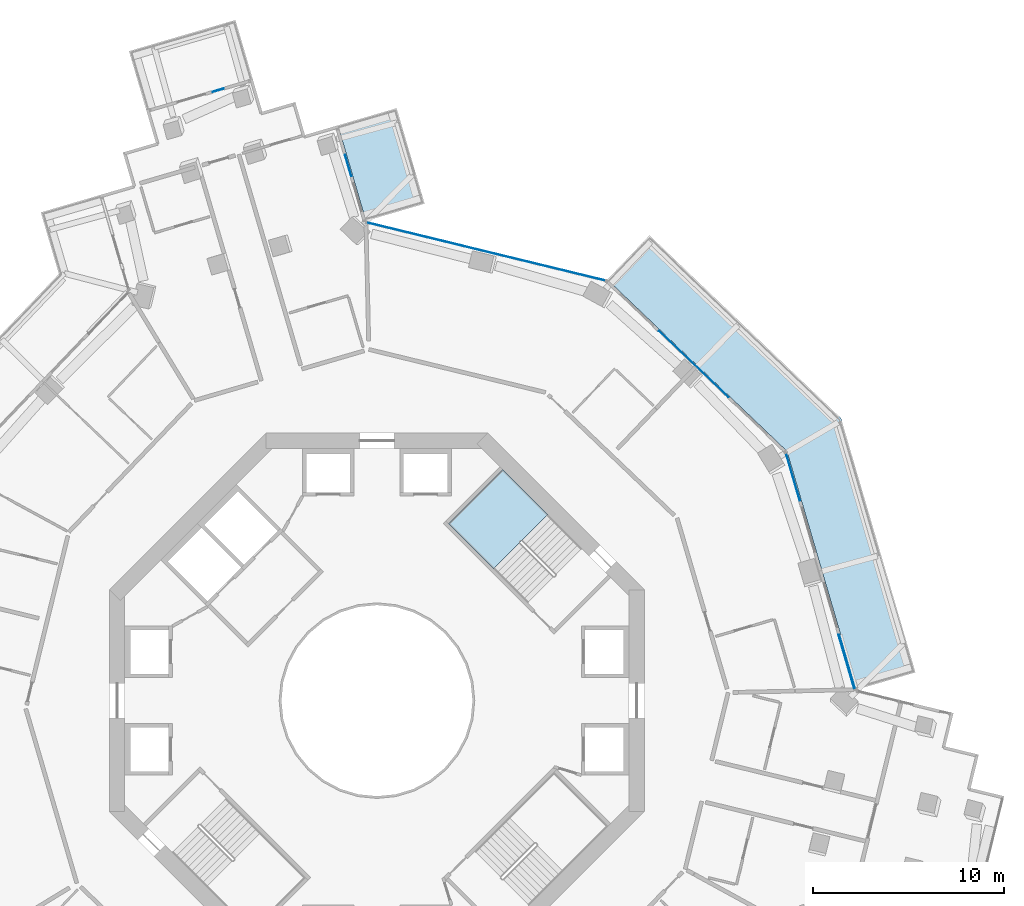
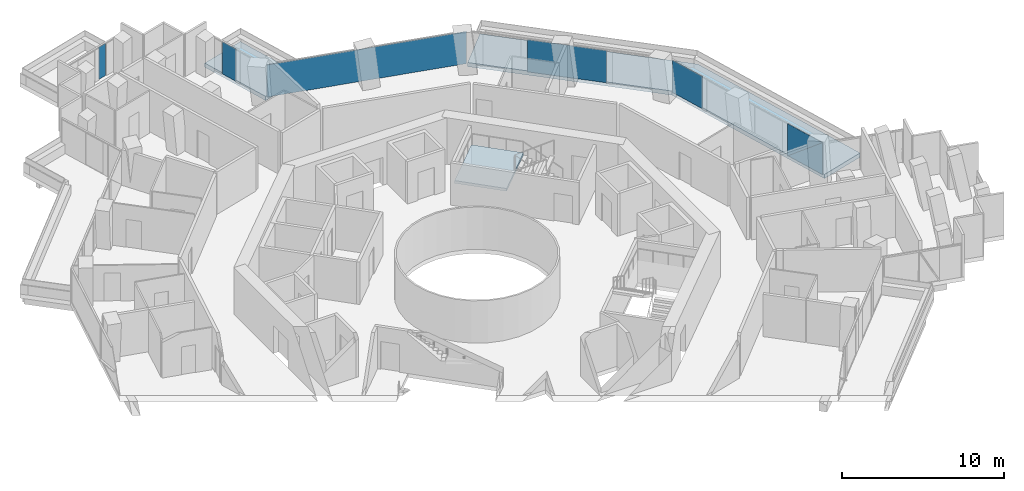
# One storey, part 16 of 25: 7 plates, 3 slabs, 6 elements without a shape of their own.
"""IFC4 building model written with IfcOpenShell, lengths in metres."""

from ifc_helpers import new_model, si_unit, direction, frame, origin, origin_2d, place, context, subcontext, project, spatial, polyline, rectangle, outline, extrude, material, layer, layer_set, type_object, element, aggregate, save


model = new_model("IFC4")

# Units and contexts
model_context = context("Model", 3, precision=1e-05, world=origin(), true_north=direction((0.0, 1.0)))
body_context = subcontext(model_context, "Body", "Model", "MODEL_VIEW")
ifc_project = project(units=[si_unit("LENGTHUNIT", "METRE"), si_unit("AREAUNIT", "SQUARE_METRE"), si_unit("VOLUMEUNIT", "CUBIC_METRE"), si_unit("PLANEANGLEUNIT", "RADIAN"), si_unit("MASSUNIT", "GRAM", prefix="KILO")], contexts=[model_context])

# Site, building, storey
site_placement = place(None, origin())
site = spatial("IfcSite", under=ifc_project, at=site_placement, CompositionType="ELEMENT")
building_placement = place(site_placement, origin())
building = spatial("IfcBuilding", under=site, at=building_placement, Name="Verdalira Terraces Hotel", CompositionType="ELEMENT")
storey_placement = place(building_placement, frame((0.0, 0.0, 100.0)))
storey = spatial("IfcBuildingStorey", under=building, at=storey_placement, Name="L23", CompositionType="ELEMENT", Elevation=100.0)

# Slabs
ifc_material_1 = material(Name="Precast concrete C40/50", Category="concrete")
ifc_layer_1 = layer(ifc_material_1, 0.31005859375)
ifc_layer_set_1 = layer_set([ifc_layer_1], Name="Balcony deck 310")
slab_type_1 = type_object("IfcSlabType", Name="Balcony deck 310", PredefinedType="FLOOR", material=ifc_layer_set_1)
slab_1_placement = place(storey_placement, frame((0.0, 0.0, -0.310059)))
element("IfcSlab", 1, at=slab_1_placement, inside=storey, type_object=slab_type_1, Name="Balcony deck", PredefinedType="FLOOR", context=body_context, shape_type="SweptSolid", body=[
    extrude(outline(polyline([(14.262695, 24.347168), (12.052734, 22.032959), (21.454346, 13.054688), (25.107422, 0.578613), (28.178467, 1.477783), (24.284424, 14.776855), (14.262695, 24.347168)])), origin(), (0.0, 0.0, 1.0), 0.310059),
])
slab_2_placement = place(storey_placement, frame((0.0, 0.0, -0.310059)))
element("IfcSlab", 2, at=slab_2_placement, inside=storey, type_object=slab_type_1, Name="Balcony deck", PredefinedType="FLOOR", context=body_context, shape_type="SweptSolid", body=[
    extrude(outline(polyline([(1.029053, 31.004883), (-2.041992, 30.105713), (-0.578613, 25.107422), (2.492432, 26.006592), (1.029053, 31.004883)])), origin(), (0.0, 0.0, 1.0), 0.310059),
])

# Curtain wall, plates
ifc_material_2 = material(Name="Clear glass", Category="glass")
ifc_layer_2 = layer(ifc_material_2, 0.14990234375)
ifc_layer_set_2 = layer_set([ifc_layer_2], Name="CW1 curtain wall")
curtain_wall_type_1 = type_object("IfcCurtainWallType", Name="CW1 curtain wall", PredefinedType="NOTDEFINED", material=ifc_layer_set_2)
curtain_wall_1_placement = place(storey_placement, origin())
curtain_wall_1 = element("IfcCurtainWall", 3, at=curtain_wall_1_placement, inside=storey, type_object=curtain_wall_type_1, Name="CW1 curtain wall L23 edge 39", PredefinedType="NOTDEFINED")
ifc_material_3 = material(Name="Clear glass", Category="glass")
ifc_layer_3 = layer(ifc_material_3, 0.028076171875)
ifc_layer_set_3 = layer_set([ifc_layer_3], Name="CW1 glass unit 28")
plate_type_1 = type_object("IfcPlateType", Name="CW1 glass unit 28", PredefinedType="CURTAIN_PANEL", material=ifc_layer_set_3)
plate_1_placement = place(storey_placement, frame((24.588623, 2.033936, 1.212402), z_axis=(0.959707262, 0.281001727, 0.0), x_axis=(-0.281001727, 0.959707262, 0.0)))
plate_1 = element("IfcPlate", 4, at=plate_1_placement, type_object=plate_type_1, Name="CW1 glass unit", PredefinedType="CURTAIN_PANEL", context=body_context, shape_type="SweptSolid", body=[
    extrude(outline(polyline([(-1.482422, -1.212402), (1.482422, -1.212402), (-1.482422, 1.212402), (-1.482422, -1.212402)])), origin(), (0.0, 0.0, 1.0), 0.028076),
])
plate_2_placement = place(storey_placement, frame((24.560791, 2.025635, 1.212402), z_axis=(0.959707262, 0.281001727, 0.0), x_axis=(-0.281001727, 0.959707262, 0.0)))
plate_2 = element("IfcPlate", 5, at=plate_2_placement, type_object=plate_type_1, Name="CW1 glass unit", PredefinedType="CURTAIN_PANEL", context=body_context, shape_type="SweptSolid", body=[
    extrude(outline(polyline([(1.482422, -1.212402), (1.482422, 1.212402), (-1.482422, 1.212402), (1.482422, -1.212402)])), origin(), (0.0, 0.0, 1.0), 0.028076),
])
plate_3_placement = place(storey_placement, frame((21.770752, 11.707031, 0.0), z_axis=(0.0, 0.0, 1.0), x_axis=(-0.281001727, 0.959707262, 0.0)))
plate_3 = element("IfcPlate", 6, at=plate_3_placement, type_object=plate_type_1, Name="CW1 glass unit", PredefinedType="CURTAIN_PANEL", context=body_context, shape_type="SweptSolid", body=[
    extrude(rectangle(XDim=2.564209, YDim=0.028076, at=origin_2d()), origin(), (0.0, 0.0, 1.0), 2.425049),
])
aggregate(curtain_wall_1, [plate_1, plate_2, plate_3])

# Curtain wall, plate
curtain_wall_2_placement = place(storey_placement, origin())
curtain_wall_2 = element("IfcCurtainWall", 7, at=curtain_wall_2_placement, inside=storey, type_object=curtain_wall_type_1, Name="CW1 curtain wall L23 edge 40", PredefinedType="NOTDEFINED")
plate_4_placement = place(storey_placement, frame((16.57251, 17.613037, 0.0), z_axis=(0.0, 0.0, 1.0), x_axis=(-0.723208265, 0.690630006, 0.0)))
plate_4 = element("IfcPlate", 8, at=plate_4_placement, type_object=plate_type_1, Name="CW1 glass unit", PredefinedType="CURTAIN_PANEL", context=body_context, shape_type="SweptSolid", body=[
    extrude(rectangle(XDim=5.021729, YDim=0.028076, at=origin_2d()), origin(), (0.0, 0.0, 1.0), 2.425049),
])
aggregate(curtain_wall_2, [plate_4])

curtain_wall_3_placement = place(storey_placement, origin())
curtain_wall_3 = element("IfcCurtainWall", 9, at=curtain_wall_3_placement, inside=storey, type_object=curtain_wall_type_1, Name="CW1 curtain wall L23 edge 41", PredefinedType="NOTDEFINED")
plate_5_placement = place(storey_placement, frame((5.699707, 23.501953, 0.0), z_axis=(0.0, 0.0, 1.0), x_axis=(-0.971631733, 0.236498997, 0.0)))
plate_5 = element("IfcPlate", 10, at=plate_5_placement, type_object=plate_type_1, Name="CW1 glass unit", PredefinedType="CURTAIN_PANEL", context=body_context, shape_type="SweptSolid", body=[
    extrude(rectangle(XDim=12.839844, YDim=0.028076, at=origin_2d()), origin(), (0.0, 0.0, 1.0), 2.425049),
])
aggregate(curtain_wall_3, [plate_5])

ifc_material_4 = material(Name="Clear glass", Category="glass")
ifc_layer_4 = layer(ifc_material_4, 0.14990234375)
ifc_layer_set_4 = layer_set([ifc_layer_4], Name="CW2 curtain wall")
curtain_wall_type_2 = type_object("IfcCurtainWallType", Name="CW2 curtain wall", PredefinedType="NOTDEFINED", material=ifc_layer_set_4)
curtain_wall_4_placement = place(storey_placement, origin())
curtain_wall_4 = element("IfcCurtainWall", 11, at=curtain_wall_4_placement, inside=storey, type_object=curtain_wall_type_2, Name="CW2 curtain wall L23 edge 0", PredefinedType="NOTDEFINED")
ifc_material_5 = material(Name="Clear glass", Category="glass")
ifc_layer_5 = layer(ifc_material_5, 0.031982421875)
ifc_layer_set_5 = layer_set([ifc_layer_5], Name="CW2 glass unit 32")
plate_type_2 = type_object("IfcPlateType", Name="CW2 glass unit 32", PredefinedType="CURTAIN_PANEL", material=ifc_layer_set_5)
plate_6_placement = place(storey_placement, frame((-1.504883, 28.003906, 0.0), z_axis=(0.0, 0.0, 1.0), x_axis=(-0.281001727, 0.959707262, 0.0)))
plate_6 = element("IfcPlate", 12, at=plate_6_placement, type_object=plate_type_2, Name="CW2 glass unit", PredefinedType="CURTAIN_PANEL", context=body_context, shape_type="SweptSolid", body=[
    extrude(rectangle(XDim=1.153076, YDim=0.031982, at=origin_2d()), origin(), (0.0, 0.0, 1.0), 2.425049),
])
aggregate(curtain_wall_4, [plate_6])

ifc_material_6 = material(Name="Clear glass", Category="glass")
ifc_layer_6 = layer(ifc_material_6, 0.14990234375)
ifc_layer_set_6 = layer_set([ifc_layer_6], Name="CW3 curtain wall")
curtain_wall_type_3 = type_object("IfcCurtainWallType", Name="CW3 curtain wall", PredefinedType="NOTDEFINED", material=ifc_layer_set_6)
curtain_wall_5_placement = place(storey_placement, origin())
curtain_wall_5 = element("IfcCurtainWall", 13, at=curtain_wall_5_placement, inside=storey, type_object=curtain_wall_type_3, Name="CW3 curtain wall L23 edge 5", PredefinedType="NOTDEFINED")
ifc_material_7 = material(Name="Clear glass", Category="glass")
ifc_layer_7 = layer(ifc_material_7, 0.035888671875)
ifc_layer_set_7 = layer_set([ifc_layer_7], Name="CW3 glass unit 36")
plate_type_3 = type_object("IfcPlateType", Name="CW3 glass unit 36", PredefinedType="CURTAIN_PANEL", material=ifc_layer_set_7)
plate_7_placement = place(storey_placement, frame((-8.304443, 31.945068, 0.0), z_axis=(0.0, 0.0, 1.0), x_axis=(-0.959707262, -0.281001727, 0.0)))
plate_7 = element("IfcPlate", 14, at=plate_7_placement, type_object=plate_type_3, Name="CW3 glass unit", PredefinedType="CURTAIN_PANEL", context=body_context, shape_type="SweptSolid", body=[
    extrude(rectangle(XDim=0.613281, YDim=0.035889, at=origin_2d()), origin(), (0.0, 0.0, 1.0), 2.425049),
])
aggregate(curtain_wall_5, [plate_7])

# Stair, slab
ifc_material_8 = material(Name="Concrete C40", Category="concrete")
stair_type = type_object("IfcStairType", Name="Core stair 20 risers 1950 mm wide", PredefinedType="HALF_TURN_STAIR", material=ifc_material_8)
stair_placement = place(storey_placement, origin())
stair = element("IfcStair", 15, at=stair_placement, inside=storey, type_object=stair_type, Name="L23 Exit stair ST1", PredefinedType="HALF_TURN_STAIR")
ifc_material_9 = material(Name="Concrete C40", Category="concrete")
ifc_layer_8 = layer(ifc_material_9, 0.199951171875)
ifc_layer_set_8 = layer_set([ifc_layer_8], Name="Core stair landing 200 mm")
slab_type_2 = type_object("IfcSlabType", Name="Core stair landing 200 mm", PredefinedType="LANDING", material=ifc_layer_set_8)
slab_3_placement = place(storey_placement, frame((0.0, 0.0, 1.550049)))
slab_3 = element("IfcSlab", 16, at=slab_3_placement, type_object=slab_type_2, Name="ST1 landing 1", PredefinedType="LANDING", context=body_context, shape_type="SweptSolid", body=[
    extrude(outline(polyline([(8.931152, 9.736572), (6.576172, 12.091553), (3.747559, 9.263184), (6.102783, 6.907959), (8.931152, 9.736572)])), origin(), (0.0, 0.0, 1.0), 0.199951),
])
aggregate(stair, [slab_3])

save(model, "model.ifc")
